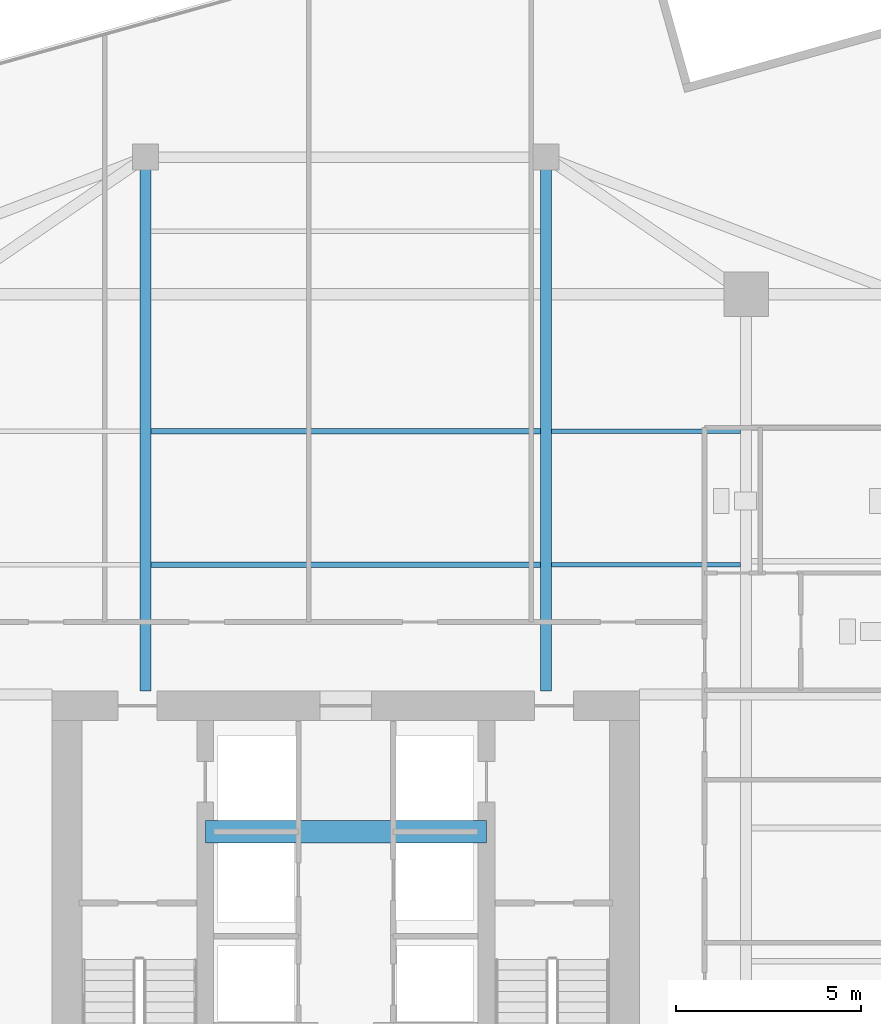
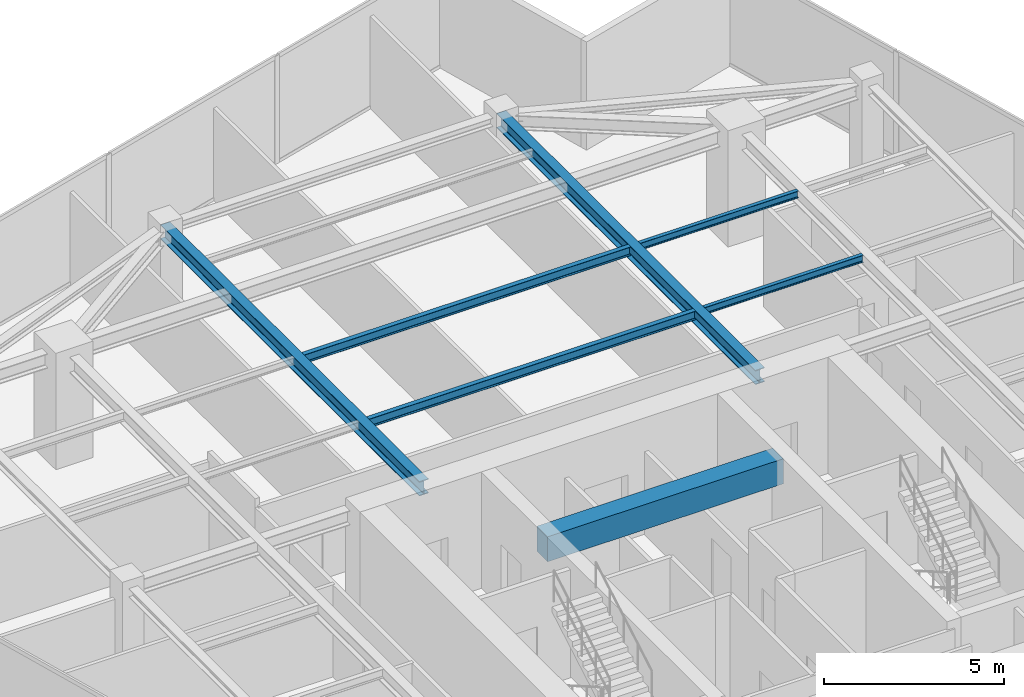
# One storey, part 8 of 21: 7 beams.
"""IFC4 building model written with IfcOpenShell, lengths in metres."""

from ifc_helpers import new_model, si_unit, direction, frame, origin, origin_2d, place, context, subcontext, project, spatial, rectangle, i_section, extrude, source, transform, mapped, material, material_profile, profile_set, type_object, type_shapes, element, save


model = new_model("IFC4")

# Units and contexts
model_context = context("Model", 3, precision=1e-05, world=origin(), true_north=direction((0.0, 1.0)))
body_context = subcontext(model_context, "Body", "Model", "MODEL_VIEW")
ifc_project = project(units=[si_unit("LENGTHUNIT", "METRE"), si_unit("AREAUNIT", "SQUARE_METRE"), si_unit("VOLUMEUNIT", "CUBIC_METRE"), si_unit("PLANEANGLEUNIT", "RADIAN"), si_unit("MASSUNIT", "GRAM", prefix="KILO")], contexts=[model_context])

# Site, building, storey
site_placement = place(None, origin())
site = spatial("IfcSite", under=ifc_project, at=site_placement, CompositionType="ELEMENT")
building_placement = place(site_placement, origin())
building = spatial("IfcBuilding", under=site, at=building_placement, Name="Krantzveldt Concourse Tower", CompositionType="ELEMENT")
storey_placement = place(building_placement, frame((0.0, 0.0, 347.449951171875)))
storey = spatial("IfcBuildingStorey", under=building, at=storey_placement, Name="L85", CompositionType="ELEMENT", Elevation=347.449951171875)

# Beams
ifc_material_1 = material(Name="Steel S355JR", Category="steel")
ifc_material_profile_1 = material_profile(ifc_material_1, i_section(OverallWidth=0.300048828125, OverallDepth=0.489990234375, WebThickness=0.011962890625, FlangeThickness=0.02294921875, FilletRadius=0.027099609375, at=origin_2d()), Name="Steel S355JR", Category="steel")
ifc_profile_set_1 = profile_set([ifc_material_profile_1], Name="Steel S355JR - HEA 500")
beam_type_1 = type_object("IfcBeamType", Name="BM-B-HEA500", PredefinedType="BEAM", material=ifc_profile_set_1)
shared_shape_1 = source(origin(), body_context, "Body", "SweptSolid", [
    extrude(i_section(OverallWidth=0.300048828125, OverallDepth=0.489990234375, WebThickness=0.011962890625, FlangeThickness=0.02294921875, FilletRadius=0.027099609375, at=origin_2d()), origin(), (0.0, 0.0, 1.0), 14.39990234375),
])
type_shapes(beam_type_1, [shared_shape_1])
for number, where, z_axis, x_axis, name in (
    (1, (30.60009765625, 26.800048828125, 3.425048828125), (0.0, 1.0, 0.0), (-1.0, 0.0, 0.0), "L85 Tower Girder BG-CNW"),
    (2, (41.39990234375, 26.800048828125, 3.425048828125), (0.0, 1.0, 0.0), (-1.0, 0.0, 0.0), "L85 Tower Girder BG-CNE"),
):
    element("IfcBeam", number, at=place(storey_placement, frame(where, z_axis=z_axis, x_axis=x_axis)), inside=storey, type_object=beam_type_1, Name=name, PredefinedType="BEAM", context=body_context, shape_type="MappedRepresentation", body=[
        mapped(shared_shape_1, transform((0.0, 0.0, 0.0), x_axis=(1.0, 0.0, 0.0), y_axis=(0.0, 1.0, 0.0), z_axis=(0.0, 0.0, 1.0), scale=1.0)),
    ])
ifc_material_profile_2 = material_profile(ifc_material_1, i_section(OverallWidth=0.14990234375, OverallDepth=0.300048828125, WebThickness=0.007080078125, FlangeThickness=0.0107421875, FilletRadius=0.014892578125, at=origin_2d()), Name="Steel S355JR", Category="steel")
ifc_profile_set_2 = profile_set([ifc_material_profile_2], Name="Steel S355JR - IPE 300")
beam_type_2 = type_object("IfcBeamType", Name="BM-J-IPE300", PredefinedType="JOIST", material=ifc_profile_set_2)
shared_shape_2 = source(origin(), body_context, "Body", "SweptSolid", [
    extrude(i_section(OverallWidth=0.14990234375, OverallDepth=0.300048828125, WebThickness=0.007080078125, FlangeThickness=0.0107421875, FilletRadius=0.014892578125, at=origin_2d()), origin(), (0.0, 0.0, 1.0), 10.5),
])
type_shapes(beam_type_2, [shared_shape_2])
for number, where, z_axis, x_axis, name in (
    (3, (30.75, 30.199951171875, 3.52001953125), (1.0, 0.0, 0.0), (0.0, 1.0, 0.0), "L85 Secondary Floor Joist JN-C1"),
    (4, (30.75, 33.800048828125, 3.52001953125), (1.0, 0.0, 0.0), (0.0, 1.0, 0.0), "L85 Secondary Floor Joist JN-C2"),
):
    element("IfcBeam", number, at=place(storey_placement, frame(where, z_axis=z_axis, x_axis=x_axis)), inside=storey, type_object=beam_type_2, Name=name, PredefinedType="JOIST", context=body_context, shape_type="MappedRepresentation", body=[
        mapped(shared_shape_2, transform((0.0, 0.0, 0.0), x_axis=(1.0, 0.0, 0.0), y_axis=(0.0, 1.0, 0.0), z_axis=(0.0, 0.0, 1.0), scale=1.0)),
    ])
ifc_material_2 = material(Name="Concrete C50/60", Category="concrete")
ifc_material_profile_3 = material_profile(ifc_material_2, rectangle(XDim=0.60009765625, YDim=0.85009765625, at=origin_2d()), Name="Concrete C50/60", Category="concrete")
ifc_profile_set_3 = profile_set([ifc_material_profile_3], Name="Concrete C50/60 - RC-CB 600x850")
beam_type_3 = type_object("IfcBeamType", Name="BM-CB-850", PredefinedType="LINTEL", material=ifc_profile_set_3)
shared_shape_3 = source(origin(), body_context, "Body", "SweptSolid", [
    extrude(rectangle(XDim=0.60009765625, YDim=0.85009765625, at=origin_2d()), origin(), (0.0, 0.0, 1.0), 7.580078125),
])
type_shapes(beam_type_3, [shared_shape_3])
beam_placement = place(storey_placement, frame((32.2099609375, 23.0, 3.2451171875), z_axis=(1.0, 0.0, 0.0), x_axis=(0.0, 1.0, 0.0)))
element("IfcBeam", 5, at=beam_placement, inside=storey, type_object=beam_type_3, Name="CB-L85-01", PredefinedType="LINTEL", context=body_context, shape_type="MappedRepresentation", body=[
    mapped(shared_shape_3, transform((0.0, 0.0, 0.0), x_axis=(1.0, 0.0, 0.0), y_axis=(0.0, 1.0, 0.0), z_axis=(0.0, 0.0, 1.0), scale=1.0)),
])
ifc_material_profile_4 = material_profile(ifc_material_1, i_section(OverallWidth=0.1201171875, OverallDepth=0.239990234375, WebThickness=0.006103515625, FlangeThickness=0.009765625, FilletRadius=0.014892578125, at=origin_2d()), Name="Steel S355JR", Category="steel")
ifc_profile_set_4 = profile_set([ifc_material_profile_4], Name="Steel S355JR - IPE 240")
beam_type_4 = type_object("IfcBeamType", Name="BM-LN-IPE240", PredefinedType="LINTEL", material=ifc_profile_set_4)
shared_shape_4 = source(origin(), body_context, "Body", "SweptSolid", [
    extrude(i_section(OverallWidth=0.1201171875, OverallDepth=0.239990234375, WebThickness=0.006103515625, FlangeThickness=0.009765625, FilletRadius=0.014892578125, at=origin_2d()), origin(), (0.0, 0.0, 1.0), 5.099853515625),
])
type_shapes(beam_type_4, [shared_shape_4])
for number, where, z_axis, x_axis, name in (
    (6, (41.550048828125, 30.199951171875, 3.550048828125), (1.0, 0.0, 0.0), (0.0, 1.0, 0.0), "L85 Secondary Floor Joist JN-E1"),
    (7, (41.550048828125, 33.800048828125, 3.550048828125), (1.0, 0.0, 0.0), (0.0, 1.0, 0.0), "L85 Secondary Floor Joist JN-E2"),
):
    element("IfcBeam", number, at=place(storey_placement, frame(where, z_axis=z_axis, x_axis=x_axis)), inside=storey, type_object=beam_type_4, Name=name, PredefinedType="LINTEL", context=body_context, shape_type="MappedRepresentation", body=[
        mapped(shared_shape_4, transform((0.0, 0.0, 0.0), x_axis=(1.0, 0.0, 0.0), y_axis=(0.0, 1.0, 0.0), z_axis=(0.0, 0.0, 1.0), scale=1.0)),
    ])

save(model, "model.ifc")
